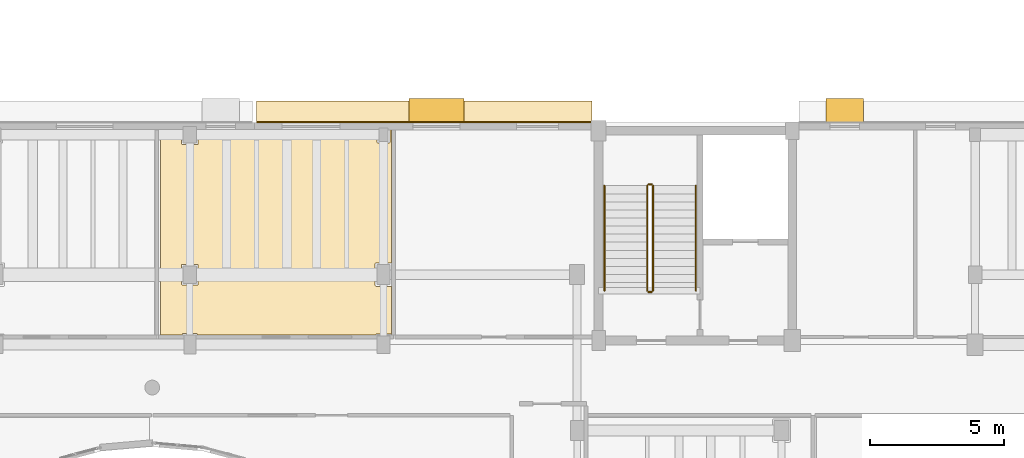
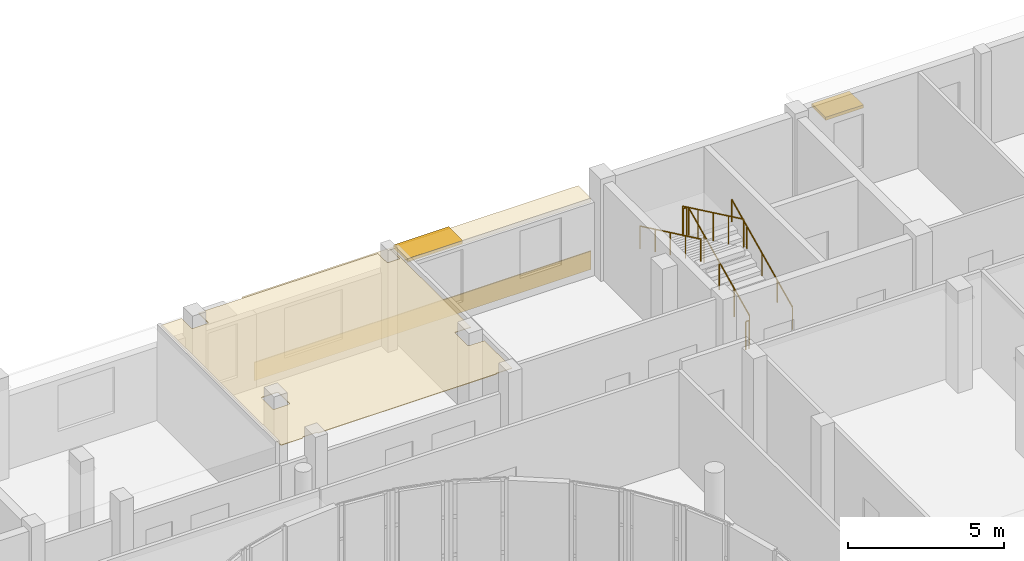
# One storey, part 86 of 92: 6 railings, 3 coverings, 2 shading devices.
"""IFC4 building model written with IfcOpenShell, lengths in metres."""

from ifc_helpers import new_model, si_unit, direction, frame, origin, origin_2d, place, context, subcontext, project, spatial, polyline, rectangle, circle, outline, extrude, material, layer, layer_set, type_object, element, save


model = new_model("IFC4")

# Units and contexts
model_context = context("Model", 3, precision=1e-05, world=origin(), true_north=direction((0.0, 1.0)))
body_context = subcontext(model_context, "Body", "Model", "MODEL_VIEW")
ifc_project = project(units=[si_unit("LENGTHUNIT", "METRE"), si_unit("AREAUNIT", "SQUARE_METRE"), si_unit("VOLUMEUNIT", "CUBIC_METRE"), si_unit("PLANEANGLEUNIT", "RADIAN"), si_unit("MASSUNIT", "GRAM", prefix="KILO")], contexts=[model_context])

# Site, building, storey
site_placement = place(None, origin())
site = spatial("IfcSite", under=ifc_project, at=site_placement, CompositionType="ELEMENT")
building_placement = place(site_placement, origin())
building = spatial("IfcBuilding", under=site, at=building_placement, Name="Kelanivale Promenade Academy", CompositionType="ELEMENT")
storey_placement = place(building_placement, frame((0.0, 0.0, 8.199951171875)))
storey = spatial("IfcBuildingStorey", under=building, at=storey_placement, Name="L02", CompositionType="ELEMENT", Elevation=8.199951171875)

# Coverings
ifc_material_1 = material(Name="Warm ivory Art Deco stucco frieze band 40 mm", Category="masonry")
ifc_layer_1 = layer(ifc_material_1, 0.0400390625)
ifc_layer_set_1 = layer_set([ifc_layer_1], Name="Warm ivory Art Deco stucco frieze band 40 mm")
covering_type_1 = type_object("IfcCoveringType", Name="COV-CLD2 Warm ivory Art Deco stucco frieze ba", PredefinedType="CLADDING", material=ifc_layer_set_1)
covering_1_placement = place(storey_placement, frame((73.51708984375, 80.25, 2.71533203125), z_axis=(0.0, 0.0, 1.0), x_axis=(-1.0, 0.0, 0.0)))
element("IfcCovering", 1, at=covering_1_placement, inside=storey, type_object=covering_type_1, Name="Art Deco projecting 820 mm streamline sunshade eyebrow ledge", PredefinedType="CLADDING", context=body_context, shape_type="SweptSolid", body=[
    extrude(rectangle(XDim=12.47509765625, YDim=0.820068359375, at=origin_2d()), origin(), (0.0, 0.0, 1.0), 0.139892578125),
])
covering_2_placement = place(storey_placement, frame((73.51708984375, 79.864990234375, 0.06005859375), z_axis=(0.0, 0.0, 1.0), x_axis=(-1.0, 0.0, 0.0)))
element("IfcCovering", 2, at=covering_2_placement, inside=storey, type_object=covering_type_1, Name="Art Deco ivory stucco sill frieze band", PredefinedType="CLADDING", context=body_context, shape_type="SweptSolid", body=[
    extrude(rectangle(XDim=12.47509765625, YDim=0.0400390625, at=origin_2d()), origin(), (0.0, 0.0, 1.0), 0.719970703125),
])
ifc_material_2 = material(Name="Acoustic mineral-fibre ceiling tile 25 mm", Category="gypsum")
ifc_layer_2 = layer(ifc_material_2, 0.02490234375)
ifc_layer_set_2 = layer_set([ifc_layer_2], Name="Acoustic mineral-fibre ceiling tile 25 mm")
covering_type_2 = type_object("IfcCoveringType", Name="COV-CLG1 Acoustic mineral-fibre ceiling tile ", PredefinedType="CEILING", material=ifc_layer_set_2)
covering_3_placement = place(storey_placement, frame((0.0, 0.0, 3.550048828125)))
element("IfcCovering", 3, at=covering_3_placement, inside=storey, type_object=covering_type_2, Name="Mathematics Classroom North acoustic suspended ceiling", PredefinedType="CEILING", context=body_context, shape_type="SweptSolid", body=[
    extrude(outline(polyline([(63.7099609375, 79.699951171875), (63.7099609375, 71.9599609375), (64.514892578125, 71.9599609375), (64.514892578125, 71.969970703125), (64.514892578125, 71.97412109375), (64.51611328125, 71.97802734375), (64.51708984375, 71.98193359375), (64.51806640625, 71.985107421875), (64.52001953125, 71.989013671875), (64.52197265625, 71.991943359375), (64.52392578125, 71.9951171875), (64.527099609375, 71.998046875), (64.530029296875, 72.0009765625), (64.532958984375, 72.0029296875), (64.535888671875, 72.0048828125), (64.5400390625, 72.007080078125), (64.54296875, 72.008056640625), (64.547119140625, 72.009033203125), (64.551025390625, 72.010009765625), (64.554931640625, 72.010009765625), (65.044921875, 72.010009765625), (65.049072265625, 72.010009765625), (65.052978515625, 72.009033203125), (65.056884765625, 72.008056640625), (65.06005859375, 72.007080078125), (65.06396484375, 72.0048828125), (65.06689453125, 72.0029296875), (65.070068359375, 72.0009765625), (65.072998046875, 71.998046875), (65.075927734375, 71.9951171875), (65.077880859375, 71.991943359375), (65.080078125, 71.989013671875), (65.08203125, 71.985107421875), (65.0830078125, 71.98193359375), (65.083984375, 71.97802734375), (65.0849609375, 71.97412109375), (65.0849609375, 71.969970703125), (65.0849609375, 71.9599609375), (71.693115234375, 71.9599609375), (71.693115234375, 71.9599609375), (71.695068359375, 71.964111328125), (71.697021484375, 71.967041015625), (71.698974609375, 71.969970703125), (71.701904296875, 71.972900390625), (71.705078125, 71.97607421875), (71.7080078125, 71.97802734375), (71.7109375, 71.97998046875), (71.715087890625, 71.98193359375), (71.718017578125, 71.98291015625), (71.721923828125, 71.98388671875), (71.72607421875, 71.985107421875), (71.72998046875, 71.985107421875), (72.27001953125, 71.985107421875), (72.27392578125, 71.985107421875), (72.278076171875, 71.98388671875), (72.281982421875, 71.98291015625), (72.284912109375, 71.98193359375), (72.2890625, 71.97998046875), (72.2900390625, 71.97998046875), (72.2900390625, 73.77001953125), (72.2890625, 73.77001953125), (72.284912109375, 73.76806640625), (72.281982421875, 73.76708984375), (72.278076171875, 73.76611328125), (72.27392578125, 73.764892578125), (72.27001953125, 73.764892578125), (71.72998046875, 73.764892578125), (71.72607421875, 73.764892578125), (71.721923828125, 73.76611328125), (71.718017578125, 73.76708984375), (71.715087890625, 73.76806640625), (71.7109375, 73.77001953125), (71.7080078125, 73.77197265625), (71.705078125, 73.77392578125), (71.701904296875, 73.777099609375), (71.698974609375, 73.780029296875), (71.697021484375, 73.782958984375), (71.695068359375, 73.785888671875), (71.693115234375, 73.7900390625), (71.69189453125, 73.79296875), (71.69091796875, 73.797119140625), (71.68994140625, 73.801025390625), (71.68994140625, 73.804931640625), (71.68994140625, 74.594970703125), (71.68994140625, 74.59912109375), (71.69091796875, 74.60302734375), (71.69189453125, 74.60693359375), (71.693115234375, 74.610107421875), (71.695068359375, 74.614013671875), (71.697021484375, 74.616943359375), (71.698974609375, 74.6201171875), (71.701904296875, 74.623046875), (71.705078125, 74.6259765625), (71.7080078125, 74.6279296875), (71.7109375, 74.6298828125), (71.715087890625, 74.632080078125), (71.718017578125, 74.633056640625), (71.721923828125, 74.634033203125), (71.72607421875, 74.635009765625), (71.72998046875, 74.635009765625), (72.27001953125, 74.635009765625), (72.27392578125, 74.635009765625), (72.278076171875, 74.634033203125), (72.281982421875, 74.633056640625), (72.284912109375, 74.632080078125), (72.2890625, 74.6298828125), (72.2900390625, 74.6298828125), (72.2900390625, 79.699951171875), (72.220947265625, 79.699951171875), (72.222900390625, 79.697998046875), (72.22607421875, 79.695068359375), (72.22802734375, 79.69189453125), (72.22998046875, 79.68896484375), (72.23193359375, 79.68505859375), (72.23291015625, 79.681884765625), (72.23388671875, 79.677978515625), (72.235107421875, 79.674072265625), (72.235107421875, 79.669921875), (72.235107421875, 79.1298828125), (72.235107421875, 79.1259765625), (72.23388671875, 79.1220703125), (72.23291015625, 79.117919921875), (72.23193359375, 79.114990234375), (72.22998046875, 79.111083984375), (72.22802734375, 79.10791015625), (72.22607421875, 79.10498046875), (72.222900390625, 79.10205078125), (72.219970703125, 79.09912109375), (72.217041015625, 79.096923828125), (72.214111328125, 79.094970703125), (72.2099609375, 79.093017578125), (72.20703125, 79.092041015625), (72.202880859375, 79.091064453125), (72.198974609375, 79.090087890625), (72.195068359375, 79.090087890625), (71.804931640625, 79.090087890625), (71.801025390625, 79.090087890625), (71.797119140625, 79.091064453125), (71.79296875, 79.092041015625), (71.7900390625, 79.093017578125), (71.785888671875, 79.094970703125), (71.782958984375, 79.096923828125), (71.780029296875, 79.09912109375), (71.777099609375, 79.10205078125), (71.77392578125, 79.10498046875), (71.77197265625, 79.10791015625), (71.77001953125, 79.111083984375), (71.76806640625, 79.114990234375), (71.76708984375, 79.117919921875), (71.76611328125, 79.1220703125), (71.764892578125, 79.1259765625), (71.764892578125, 79.1298828125), (71.764892578125, 79.669921875), (71.764892578125, 79.674072265625), (71.76611328125, 79.677978515625), (71.76708984375, 79.681884765625), (71.76806640625, 79.68505859375), (71.77001953125, 79.68896484375), (71.77197265625, 79.69189453125), (71.77392578125, 79.695068359375), (71.777099609375, 79.697998046875), (71.779052734375, 79.699951171875), (65.110107421875, 79.699951171875), (65.110107421875, 79.080078125), (65.110107421875, 79.075927734375), (65.10888671875, 79.072021484375), (65.10791015625, 79.068115234375), (65.10693359375, 79.06494140625), (65.10498046875, 79.06103515625), (65.10302734375, 79.05810546875), (65.10107421875, 79.054931640625), (65.097900390625, 79.052001953125), (65.094970703125, 79.049072265625), (65.092041015625, 79.047119140625), (65.089111328125, 79.044921875), (65.0849609375, 79.04296875), (65.08203125, 79.0419921875), (65.077880859375, 79.041015625), (65.073974609375, 79.0400390625), (65.070068359375, 79.0400390625), (64.530029296875, 79.0400390625), (64.52587890625, 79.0400390625), (64.52197265625, 79.041015625), (64.51806640625, 79.0419921875), (64.514892578125, 79.04296875), (64.510986328125, 79.044921875), (64.508056640625, 79.047119140625), (64.5048828125, 79.049072265625), (64.501953125, 79.052001953125), (64.4990234375, 79.054931640625), (64.4970703125, 79.05810546875), (64.4951171875, 79.06103515625), (64.492919921875, 79.06494140625), (64.491943359375, 79.068115234375), (64.490966796875, 79.072021484375), (64.489990234375, 79.075927734375), (64.489990234375, 79.080078125), (64.489990234375, 79.699951171875), (63.7099609375, 79.699951171875)]), holes=[polyline([(65.110107421875, 73.85498046875), (65.110107421875, 73.85107421875), (65.10888671875, 73.846923828125), (65.10791015625, 73.843017578125), (65.10693359375, 73.840087890625), (65.10498046875, 73.8359375), (65.10302734375, 73.8330078125), (65.10107421875, 73.830078125), (65.097900390625, 73.826904296875), (65.094970703125, 73.823974609375), (65.092041015625, 73.822021484375), (65.089111328125, 73.820068359375), (65.0849609375, 73.818115234375), (65.08203125, 73.81689453125), (65.077880859375, 73.81591796875), (65.073974609375, 73.81494140625), (65.070068359375, 73.81494140625), (64.530029296875, 73.81494140625), (64.52587890625, 73.81494140625), (64.52197265625, 73.81591796875), (64.51806640625, 73.81689453125), (64.514892578125, 73.818115234375), (64.510986328125, 73.820068359375), (64.508056640625, 73.822021484375), (64.5048828125, 73.823974609375), (64.501953125, 73.826904296875), (64.4990234375, 73.830078125), (64.4970703125, 73.8330078125), (64.4951171875, 73.8359375), (64.492919921875, 73.840087890625), (64.491943359375, 73.843017578125), (64.490966796875, 73.846923828125), (64.489990234375, 73.85107421875), (64.489990234375, 73.85498046875), (64.489990234375, 74.544921875), (64.489990234375, 74.549072265625), (64.490966796875, 74.552978515625), (64.491943359375, 74.556884765625), (64.492919921875, 74.56005859375), (64.4951171875, 74.56396484375), (64.4970703125, 74.56689453125), (64.4990234375, 74.570068359375), (64.501953125, 74.572998046875), (64.5048828125, 74.575927734375), (64.508056640625, 74.577880859375), (64.510986328125, 74.580078125), (64.514892578125, 74.58203125), (64.51806640625, 74.5830078125), (64.52197265625, 74.583984375), (64.52587890625, 74.5849609375), (64.530029296875, 74.5849609375), (65.070068359375, 74.5849609375), (65.073974609375, 74.5849609375), (65.077880859375, 74.583984375), (65.08203125, 74.5830078125), (65.0849609375, 74.58203125), (65.089111328125, 74.580078125), (65.092041015625, 74.577880859375), (65.094970703125, 74.575927734375), (65.097900390625, 74.572998046875), (65.10107421875, 74.570068359375), (65.10302734375, 74.56689453125), (65.10498046875, 74.56396484375), (65.10693359375, 74.56005859375), (65.10791015625, 74.556884765625), (65.10888671875, 74.552978515625), (65.110107421875, 74.549072265625), (65.110107421875, 74.544921875), (65.110107421875, 73.85498046875)])]), origin(), (0.0, 0.0, 1.0), 0.02490234375),
])

# Railings
ifc_material_3 = material(Name="Brushed stainless steel grade 316", Category="steel")
railing_type_1 = type_object("IfcRailingType", Name="GR-01 Stair Guard 1100mm", PredefinedType="BALUSTRADE", material=ifc_material_3)
railing_1_placement = place(storey_placement, frame((82.02490234375, 73.60498046875, 0.142822265625)))
element("IfcRailing", 4, at=railing_1_placement, inside=storey, type_object=railing_type_1, Name="L02 ST-02 stair guard 1", PredefinedType="BALUSTRADE", context=body_context, shape_type="SweptSolid", body=[
    extrude(circle(Radius=0.02392578125, at=origin_2d()), frame((0.0, 0.0, 1.09619140625), z_axis=(0.0, 0.902853205547, 0.429948937937), x_axis=(-1.0, 0.0, 0.0)), (0.0, 0.0, 1.0), 4.319580078125),
    extrude(circle(Radius=0.02099609375, at=origin_2d()), origin(), (0.0, 0.0, 1.0), 1.072021484375),
    extrude(circle(Radius=0.02099609375, at=origin_2d()), frame((0.0, 0.97509765625, 0.46435546875)), (0.0, 0.0, 1.0), 1.072021484375),
    extrude(circle(Radius=0.02099609375, at=origin_2d()), frame((0.0, 1.949951171875, 0.9287109375)), (0.0, 0.0, 1.0), 1.072021484375),
    extrude(circle(Radius=0.02099609375, at=origin_2d()), frame((0.0, 2.9248046875, 1.392822265625)), (0.0, 0.0, 1.0), 1.072021484375),
    extrude(circle(Radius=0.02099609375, at=origin_2d()), frame((0.0, 3.89990234375, 1.857177734375)), (0.0, 0.0, 1.0), 1.072021484375),
])
railing_2_placement = place(storey_placement, frame((81.97509765625, 77.554931640625, 2.0)))
element("IfcRailing", 5, at=railing_2_placement, inside=storey, type_object=railing_type_1, Name="L02 ST-02 stair guard 2", PredefinedType="BALUSTRADE", context=body_context, shape_type="SweptSolid", body=[
    extrude(circle(Radius=0.02392578125, at=origin_2d()), frame((0.0, 0.0, 1.09619140625), z_axis=(-1.0, 0.0, 0.0), x_axis=(0.0, -1.0, 0.0)), (0.0, 0.0, 1.0), 0.1201171875),
    extrude(circle(Radius=0.02099609375, at=origin_2d()), origin(), (0.0, 0.0, 1.0), 1.072021484375),
    extrude(circle(Radius=0.02099609375, at=origin_2d()), frame((-0.1201171875, 0.0, 0.0)), (0.0, 0.0, 1.0), 1.072021484375),
])
railing_3_placement = place(storey_placement, frame((81.804931640625, 77.5048828125, 2.142822265625)))
element("IfcRailing", 6, at=railing_3_placement, inside=storey, type_object=railing_type_1, Name="L02 ST-02 stair guard 3", PredefinedType="BALUSTRADE", context=body_context, shape_type="SweptSolid", body=[
    extrude(circle(Radius=0.02392578125, at=origin_2d()), frame((0.0, 0.0, 1.09619140625), z_axis=(0.0, -0.902853205547, 0.429948937937), x_axis=(1.0, 0.0, 0.0)), (0.0, 0.0, 1.0), 4.319580078125),
    extrude(circle(Radius=0.02099609375, at=origin_2d()), origin(), (0.0, 0.0, 1.0), 1.072021484375),
    extrude(circle(Radius=0.02099609375, at=origin_2d()), frame((0.0, -0.97509765625, 0.46435546875)), (0.0, 0.0, 1.0), 1.072021484375),
    extrude(circle(Radius=0.02099609375, at=origin_2d()), frame((0.0, -1.949951171875, 0.9287109375)), (0.0, 0.0, 1.0), 1.072021484375),
    extrude(circle(Radius=0.02099609375, at=origin_2d()), frame((0.0, -2.9248046875, 1.392822265625)), (0.0, 0.0, 1.0), 1.072021484375),
    extrude(circle(Radius=0.02099609375, at=origin_2d()), frame((0.0, -3.89990234375, 1.857177734375)), (0.0, 0.0, 1.0), 1.072021484375),
])
railing_4_placement = place(storey_placement, frame((81.97509765625, 73.554931640625, 0.0)))
element("IfcRailing", 7, at=railing_4_placement, inside=storey, type_object=railing_type_1, Name="L02 ST-02 stair guard 4", PredefinedType="BALUSTRADE", context=body_context, shape_type="SweptSolid", body=[
    extrude(circle(Radius=0.02392578125, at=origin_2d()), frame((0.0, 0.0, 1.09619140625), z_axis=(-1.0, 0.0, 0.0), x_axis=(0.0, -1.0, 0.0)), (0.0, 0.0, 1.0), 0.1201171875),
    extrude(circle(Radius=0.02099609375, at=origin_2d()), origin(), (0.0, 0.0, 1.0), 1.072021484375),
    extrude(circle(Radius=0.02099609375, at=origin_2d()), frame((-0.1201171875, 0.0, 0.0)), (0.0, 0.0, 1.0), 1.072021484375),
])
railing_type_2 = type_object("IfcRailingType", Name="HR-01 Pitch Handrail 900mm", PredefinedType="HANDRAIL", material=ifc_material_3)
railing_5_placement = place(storey_placement, frame((83.614990234375, 73.60498046875, 0.142822265625)))
element("IfcRailing", 8, at=railing_5_placement, inside=storey, type_object=railing_type_2, Name="L02 ST-02 stair handrail 1", PredefinedType="HANDRAIL", context=body_context, shape_type="SweptSolid", body=[
    extrude(circle(Radius=0.02392578125, at=origin_2d()), frame((0.0, 0.0, 0.8759765625), z_axis=(0.0, 0.902853205547, 0.429948937937), x_axis=(-1.0, 0.0, 0.0)), (0.0, 0.0, 1.0), 4.319580078125),
    extrude(circle(Radius=0.02099609375, at=origin_2d()), origin(), (0.0, 0.0, 1.0), 0.851806640625),
    extrude(circle(Radius=0.02099609375, at=origin_2d()), frame((0.0, 0.97509765625, 0.46435546875)), (0.0, 0.0, 1.0), 0.851806640625),
    extrude(circle(Radius=0.02099609375, at=origin_2d()), frame((0.0, 1.949951171875, 0.9287109375)), (0.0, 0.0, 1.0), 0.851806640625),
    extrude(circle(Radius=0.02099609375, at=origin_2d()), frame((0.0, 2.9248046875, 1.392822265625)), (0.0, 0.0, 1.0), 0.851806640625),
    extrude(circle(Radius=0.02099609375, at=origin_2d()), frame((0.0, 3.89990234375, 1.857177734375)), (0.0, 0.0, 1.0), 0.851806640625),
])
railing_6_placement = place(storey_placement, frame((80.215087890625, 77.5048828125, 2.142822265625)))
element("IfcRailing", 9, at=railing_6_placement, inside=storey, type_object=railing_type_2, Name="L02 ST-02 stair handrail 2", PredefinedType="HANDRAIL", context=body_context, shape_type="SweptSolid", body=[
    extrude(circle(Radius=0.02392578125, at=origin_2d()), frame((0.0, 0.0, 0.8759765625), z_axis=(0.0, -0.902853205547, 0.429948937937), x_axis=(1.0, 0.0, 0.0)), (0.0, 0.0, 1.0), 4.319580078125),
    extrude(circle(Radius=0.02099609375, at=origin_2d()), origin(), (0.0, 0.0, 1.0), 0.851806640625),
    extrude(circle(Radius=0.02099609375, at=origin_2d()), frame((0.0, -0.97509765625, 0.46435546875)), (0.0, 0.0, 1.0), 0.851806640625),
    extrude(circle(Radius=0.02099609375, at=origin_2d()), frame((0.0, -1.949951171875, 0.9287109375)), (0.0, 0.0, 1.0), 0.851806640625),
    extrude(circle(Radius=0.02099609375, at=origin_2d()), frame((0.0, -2.9248046875, 1.392822265625)), (0.0, 0.0, 1.0), 0.851806640625),
    extrude(circle(Radius=0.02099609375, at=origin_2d()), frame((0.0, -3.89990234375, 1.857177734375)), (0.0, 0.0, 1.0), 0.851806640625),
])

# Shading devices
ifc_material_4 = material(Name="Precast concrete C40/50", Category="concrete")
ifc_layer_3 = layer(ifc_material_4, 0.1201171875)
ifc_layer_set_3 = layer_set([ifc_layer_3], Name="Precast concrete C40/50")
shading_device_type = type_object("IfcShadingDeviceType", Name="SHD-01 Art Deco Sunshade Eyebrow 900mm", PredefinedType="USERDEFINED", material=ifc_layer_set_3)
shading_device_1_placement = place(storey_placement, frame((89.14697265625, 80.2900390625, 2.860107421875), z_axis=(0.0, 0.0, 1.0), x_axis=(-1.0, 0.0, 0.0)))
element("IfcShadingDevice", 10, at=shading_device_1_placement, inside=storey, type_object=shading_device_type, Name="Art Deco 900 mm precast chajja window sunshade", ObjectType="SUNSHADE", PredefinedType="USERDEFINED", context=body_context, shape_type="SweptSolid", body=[
    extrude(rectangle(XDim=1.39990234375, YDim=0.89990234375, at=origin_2d()), origin(), (0.0, 0.0, 1.0), 0.1201171875),
])
shading_device_2_placement = place(storey_placement, frame((73.968017578125, 80.2900390625, 2.744873046875), z_axis=(0.0, 0.0, 1.0), x_axis=(-1.0, 0.0, 0.0)))
element("IfcShadingDevice", 11, at=shading_device_2_placement, inside=storey, type_object=shading_device_type, Name="Art Deco 900 mm precast chajja window sunshade", ObjectType="SUNSHADE", PredefinedType="USERDEFINED", context=body_context, shape_type="SweptSolid", body=[
    extrude(rectangle(XDim=2.050048828125, YDim=0.89990234375, at=origin_2d()), origin(), (0.0, 0.0, 1.0), 0.1201171875),
])

save(model, "model.ifc")
